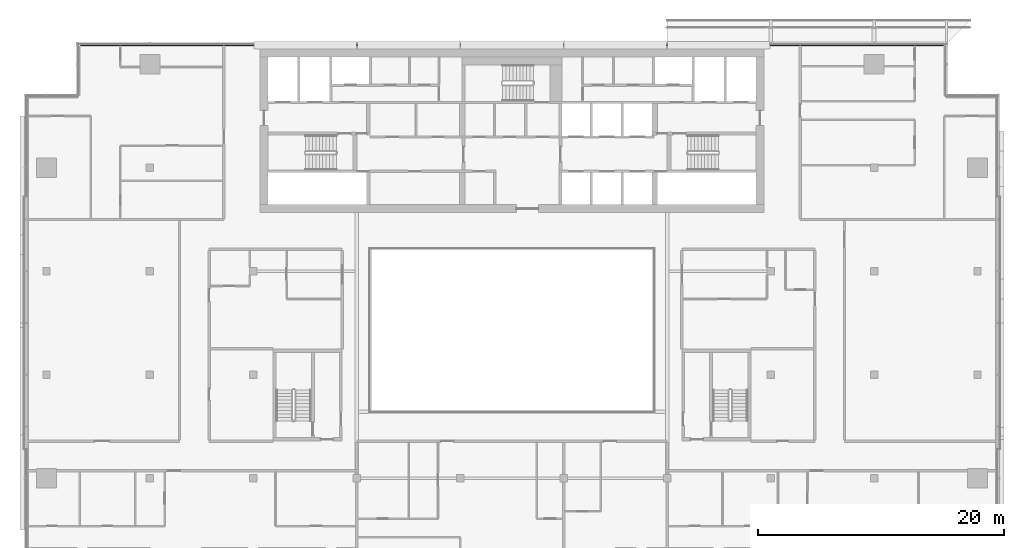
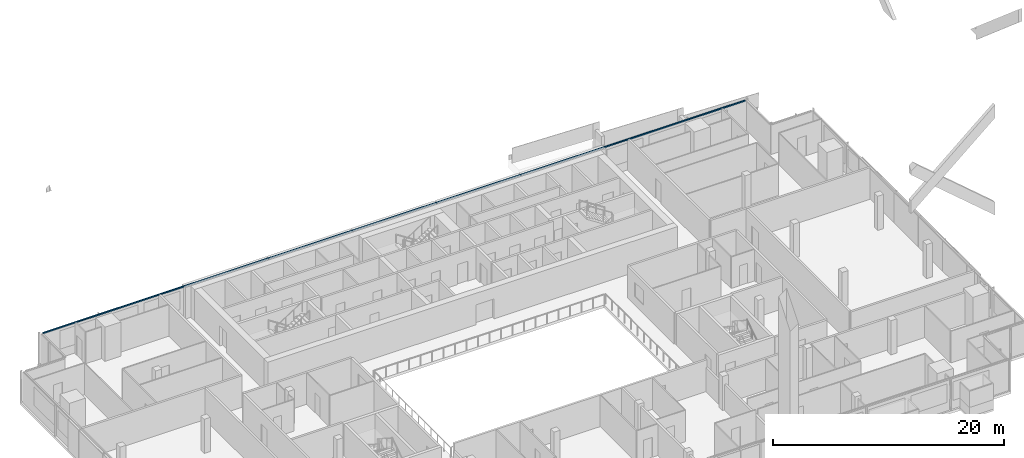
# One storey, part 12 of 31: 1 member, 1 element without a shape of its own.
"""IFC4 building model written with IfcOpenShell, lengths in metres."""

from ifc_helpers import new_model, si_unit, direction, frame, origin, origin_2d, place, context, subcontext, project, spatial, rectangle, extrude, material, material_profile, profile_set, type_object, element, aggregate, save


model = new_model("IFC4")

# Units and contexts
model_context = context("Model", 3, precision=1e-05, world=origin(), true_north=direction((0.0, 1.0)))
body_context = subcontext(model_context, "Body", "Model", "MODEL_VIEW")
ifc_project = project(units=[si_unit("LENGTHUNIT", "METRE"), si_unit("AREAUNIT", "SQUARE_METRE"), si_unit("VOLUMEUNIT", "CUBIC_METRE"), si_unit("PLANEANGLEUNIT", "RADIAN"), si_unit("MASSUNIT", "GRAM", prefix="KILO")], contexts=[model_context])

# Site, building, storey
site_placement = place(None, origin())
site = spatial("IfcSite", under=ifc_project, at=site_placement, CompositionType="ELEMENT")
building_placement = place(site_placement, origin())
building = spatial("IfcBuilding", under=site, at=building_placement, Name="Saffron Gate Tower", CompositionType="ELEMENT")
storey_placement = place(building_placement, frame((0.0, 0.0, 205.5)))
storey = spatial("IfcBuildingStorey", under=building, at=storey_placement, Name="L49", CompositionType="ELEMENT", Elevation=205.5)

# Curtain wall, member
ifc_material = material(Name="Aluminium, bronze anodised", Category="aluminium")
curtain_wall_type = type_object("IfcCurtainWallType", Name="CWS3 curtain wall rear facade", PredefinedType="NOTDEFINED", material=ifc_material)
curtain_wall_placement = place(storey_placement, origin())
curtain_wall = element("IfcCurtainWall", 1, at=curtain_wall_placement, inside=storey, type_object=curtain_wall_type, Name="CWS3 run 7", PredefinedType="NOTDEFINED")
ifc_material_profile = material_profile(ifc_material, rectangle(XDim=0.1201171875, YDim=0.1201171875, at=origin_2d()))
ifc_profile_set = profile_set([ifc_material_profile], Name="Aluminium, bronze anodised")
member_type = type_object("IfcMemberType", Name="CWS3 head transom", PredefinedType="USERDEFINED", material=ifc_profile_set)
member_placement = place(storey_placement, frame((122.632080078125, 75.35205078125, 3.260009765625), z_axis=(-1.0, 0.0, 0.0), x_axis=(0.0, -1.0, 0.0)))
member = element("IfcMember", 2, at=member_placement, type_object=member_type, Name="CWS3 head transom", ObjectType="TRANSOM", PredefinedType="USERDEFINED", context=body_context, shape_type="SweptSolid", body=[
    extrude(rectangle(XDim=0.1201171875, YDim=0.1201171875, at=origin_2d()), origin(), (0.0, 0.0, 1.0), 70.06396484375),
])
aggregate(curtain_wall, [member])

save(model, "model.ifc")
